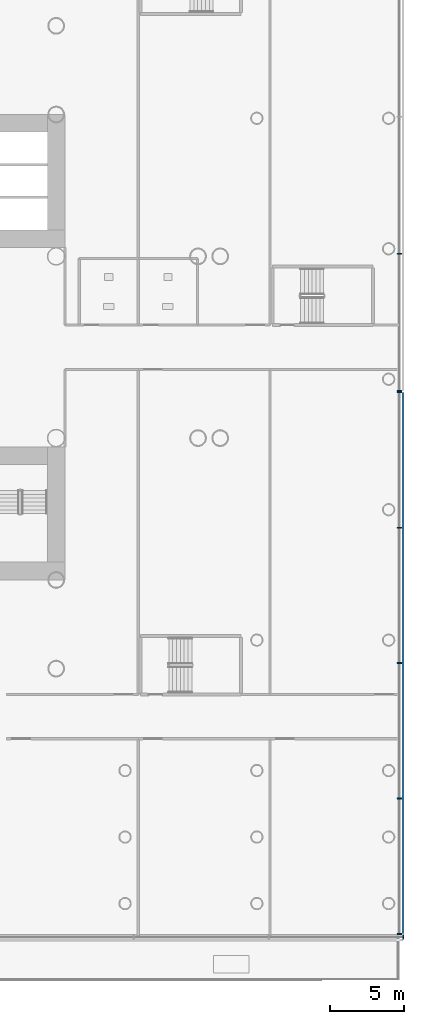
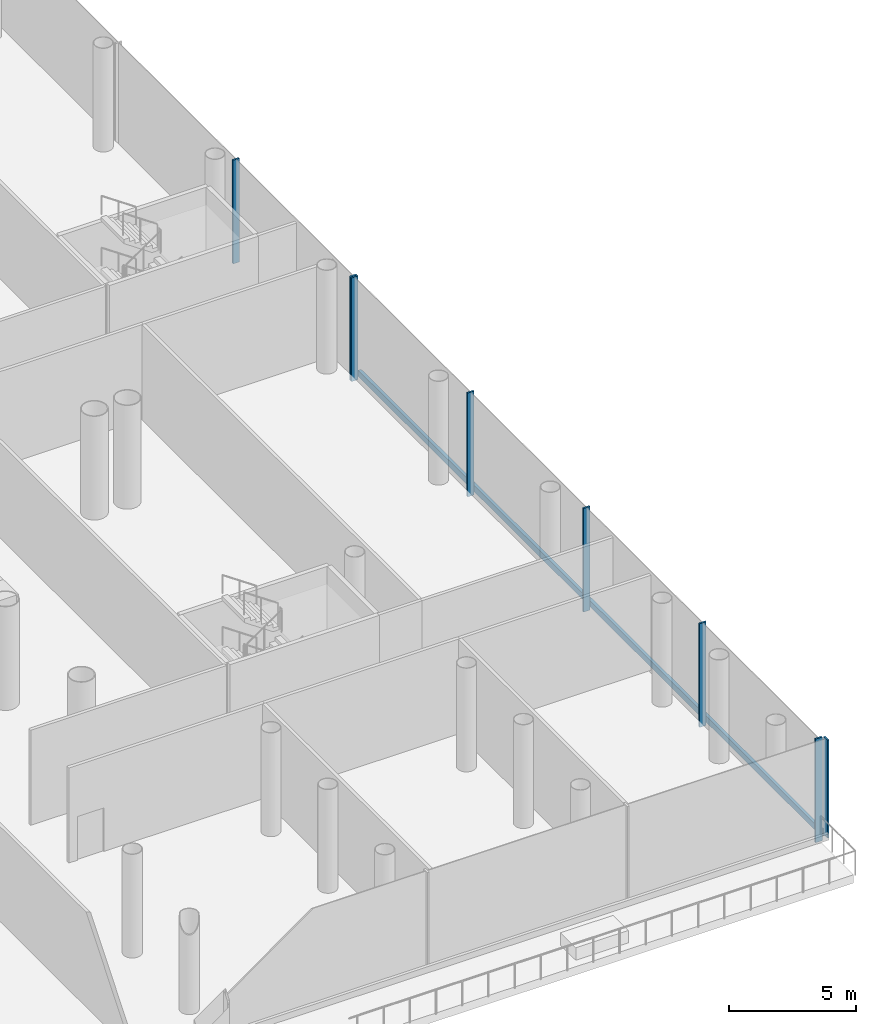
# One storey, part 13 of 59: 9 members, 3 elements without a shape of their own.
"""IFC4 building model written with IfcOpenShell, lengths in metres."""

from ifc_helpers import new_model, si_unit, direction, frame, origin, origin_2d, place, context, subcontext, project, spatial, rectangle, extrude, material, layer, layer_set, material_profile, profile_set, type_object, element, aggregate, save


model = new_model("IFC4")

# Units and contexts
model_context = context("Model", 3, precision=1e-05, world=origin(), true_north=direction((0.0, 1.0)))
body_context = subcontext(model_context, "Body", "Model", "MODEL_VIEW")
ifc_project = project(units=[si_unit("LENGTHUNIT", "METRE"), si_unit("AREAUNIT", "SQUARE_METRE"), si_unit("VOLUMEUNIT", "CUBIC_METRE"), si_unit("PLANEANGLEUNIT", "RADIAN"), si_unit("MASSUNIT", "GRAM", prefix="KILO")], contexts=[model_context])

# Site, building, storey
site_placement = place(None, origin())
site = spatial("IfcSite", under=ifc_project, at=site_placement, CompositionType="ELEMENT")
building_placement = place(site_placement, origin())
building = spatial("IfcBuilding", under=site, at=building_placement, Name="Ipe Terrace Towers", CompositionType="ELEMENT")
storey_placement = place(building_placement, frame((0.0, 0.0, 6.0)))
storey = spatial("IfcBuildingStorey", under=building, at=storey_placement, Name="L01", CompositionType="ELEMENT", Elevation=6.0)

# Curtain wall, members
ifc_material_1 = material(Name="Aluminium alloy 6063-T6", Category="aluminium")
ifc_layer = layer(ifc_material_1, 0.43994140625)
ifc_layer_set = layer_set([ifc_layer], Name="PODIUM GLAZING CURTAIN WALL")
curtain_wall_type = type_object("IfcCurtainWallType", Name="PODIUM GLAZING CURTAIN WALL", PredefinedType="NOTDEFINED", material=ifc_layer_set)
curtain_wall_1_placement = place(storey_placement, origin())
curtain_wall_1 = element("IfcCurtainWall", 1, at=curtain_wall_1_placement, inside=storey, type_object=curtain_wall_type, Name="POD-CW-L01-00a curtain wall", PredefinedType="NOTDEFINED")
ifc_material_2 = material(Name="Aluminium alloy 6063-T6", Category="aluminium")
ifc_material_profile_1 = material_profile(ifc_material_2, rectangle(XDim=0.300048828125, YDim=0.080078125, at=origin_2d()), Name="PODIUM GLAZING MULLION 300 x 80")
ifc_profile_set_1 = profile_set([ifc_material_profile_1], Name="Aluminium alloy 6063-T6")
member_type_1 = type_object("IfcMemberType", Name="PODIUM GLAZING MULLION 300 x 80", PredefinedType="MULLION", material=ifc_profile_set_1)
member_1_placement = place(storey_placement, frame((65.39990234375, -39.7099609375, -0.300048828125), z_axis=(0.0, 0.0, 1.0), x_axis=(1.0, 0.0, 0.0)))
member_1 = element("IfcMember", 2, at=member_1_placement, type_object=member_type_1, Name="POD-CW-L01-00a mullion 1", PredefinedType="MULLION", context=body_context, shape_type="SweptSolid", body=[
    extrude(rectangle(XDim=0.300048828125, YDim=0.080078125, at=origin_2d()), origin(), (0.0, 0.0, 1.0), 5.0),
])
member_2_placement = place(storey_placement, frame((65.39990234375, -30.54248046875, -0.300048828125), z_axis=(0.0, 0.0, 1.0), x_axis=(1.0, 0.0, 0.0)))
member_2 = element("IfcMember", 3, at=member_2_placement, type_object=member_type_1, Name="POD-CW-L01-00a mullion 2", PredefinedType="MULLION", context=body_context, shape_type="SweptSolid", body=[
    extrude(rectangle(XDim=0.300048828125, YDim=0.080078125, at=origin_2d()), origin(), (0.0, 0.0, 1.0), 5.0),
])
member_3_placement = place(storey_placement, frame((65.39990234375, -21.375, -0.300048828125), z_axis=(0.0, 0.0, 1.0), x_axis=(1.0, 0.0, 0.0)))
member_3 = element("IfcMember", 4, at=member_3_placement, type_object=member_type_1, Name="POD-CW-L01-00a mullion 3", PredefinedType="MULLION", context=body_context, shape_type="SweptSolid", body=[
    extrude(rectangle(XDim=0.300048828125, YDim=0.080078125, at=origin_2d()), origin(), (0.0, 0.0, 1.0), 5.0),
])
member_4_placement = place(storey_placement, frame((65.39990234375, -12.20751953125, -0.300048828125), z_axis=(0.0, 0.0, 1.0), x_axis=(1.0, 0.0, 0.0)))
member_4 = element("IfcMember", 5, at=member_4_placement, type_object=member_type_1, Name="POD-CW-L01-00a mullion 4", PredefinedType="MULLION", context=body_context, shape_type="SweptSolid", body=[
    extrude(rectangle(XDim=0.300048828125, YDim=0.080078125, at=origin_2d()), origin(), (0.0, 0.0, 1.0), 5.0),
])
member_5_placement = place(storey_placement, frame((65.39990234375, -3.0400390625, -0.300048828125), z_axis=(0.0, 0.0, 1.0), x_axis=(1.0, 0.0, 0.0)))
member_5 = element("IfcMember", 6, at=member_5_placement, type_object=member_type_1, Name="POD-CW-L01-00a mullion 5", PredefinedType="MULLION", context=body_context, shape_type="SweptSolid", body=[
    extrude(rectangle(XDim=0.300048828125, YDim=0.080078125, at=origin_2d()), origin(), (0.0, 0.0, 1.0), 5.0),
])

curtain_wall_2_placement = place(storey_placement, origin())
curtain_wall_2 = element("IfcCurtainWall", 7, at=curtain_wall_2_placement, inside=storey, type_object=curtain_wall_type, Name="POD-CW-L01-00b curtain wall", PredefinedType="NOTDEFINED")
member_6_placement = place(storey_placement, frame((65.39990234375, -2.9599609375, -0.300048828125), z_axis=(0.0, 0.0, 1.0), x_axis=(1.0, 0.0, 0.0)))
member_6 = element("IfcMember", 8, at=member_6_placement, type_object=member_type_1, Name="POD-CW-L01-00b mullion 1", PredefinedType="MULLION", context=body_context, shape_type="SweptSolid", body=[
    extrude(rectangle(XDim=0.300048828125, YDim=0.080078125, at=origin_2d()), origin(), (0.0, 0.0, 1.0), 5.0),
])
member_7_placement = place(storey_placement, frame((65.39990234375, 6.3173828125, -0.300048828125), z_axis=(0.0, 0.0, 1.0), x_axis=(1.0, 0.0, 0.0)))
member_7 = element("IfcMember", 9, at=member_7_placement, type_object=member_type_1, Name="POD-CW-L01-00b mullion 2", PredefinedType="MULLION", context=body_context, shape_type="SweptSolid", body=[
    extrude(rectangle(XDim=0.300048828125, YDim=0.080078125, at=origin_2d()), origin(), (0.0, 0.0, 1.0), 5.0),
])
aggregate(curtain_wall_2, [member_6, member_7])

# Curtain wall, member
curtain_wall_3_placement = place(storey_placement, origin())
curtain_wall_3 = element("IfcCurtainWall", 10, at=curtain_wall_3_placement, inside=storey, type_object=curtain_wall_type, Name="POD-CW-L01-03f curtain wall", PredefinedType="NOTDEFINED")
member_8_placement = place(storey_placement, frame((65.64990234375, -39.89990234375, -0.02001953125), z_axis=(0.0, 0.0, 1.0), x_axis=(0.0, -1.0, 0.0)))
member_8 = element("IfcMember", 11, at=member_8_placement, type_object=member_type_1, Name="POD-CW-L01-03f mullion 4", PredefinedType="MULLION", context=body_context, shape_type="SweptSolid", body=[
    extrude(rectangle(XDim=0.300048828125, YDim=0.080078125, at=origin_2d()), origin(), (0.0, 0.0, 1.0), 4.719970703125),
])
aggregate(curtain_wall_3, [member_8])

# Member
ifc_material_3 = material(Name="Aluminium alloy 6063-T6", Category="aluminium")
ifc_material_profile_2 = material_profile(ifc_material_3, rectangle(XDim=0.139892578125, YDim=0.300048828125, at=origin_2d()), Name="PODIUM GLAZING TRANSOM 140 x 300")
ifc_profile_set_2 = profile_set([ifc_material_profile_2], Name="Aluminium alloy 6063-T6")
member_type_2 = type_object("IfcMemberType", Name="PODIUM GLAZING TRANSOM 140 x 300", PredefinedType="USERDEFINED", material=ifc_profile_set_2)
member_9_placement = place(storey_placement, frame((65.6201171875, -39.669921875, 0.0), z_axis=(0.0, 1.0, 0.0), x_axis=(1.0, 0.0, 0.0)))
member_9 = element("IfcMember", 12, at=member_9_placement, type_object=member_type_2, Name="POD-CW-L01-00a transom", ObjectType="TRANSOM", PredefinedType="USERDEFINED", context=body_context, shape_type="SweptSolid", body=[
    extrude(rectangle(XDim=0.139892578125, YDim=0.300048828125, at=origin_2d()), origin(), (0.0, 0.0, 1.0), 36.58984375),
])

aggregate(curtain_wall_1, [member_1, member_2, member_3, member_4, member_5, member_9])

save(model, "model.ifc")
